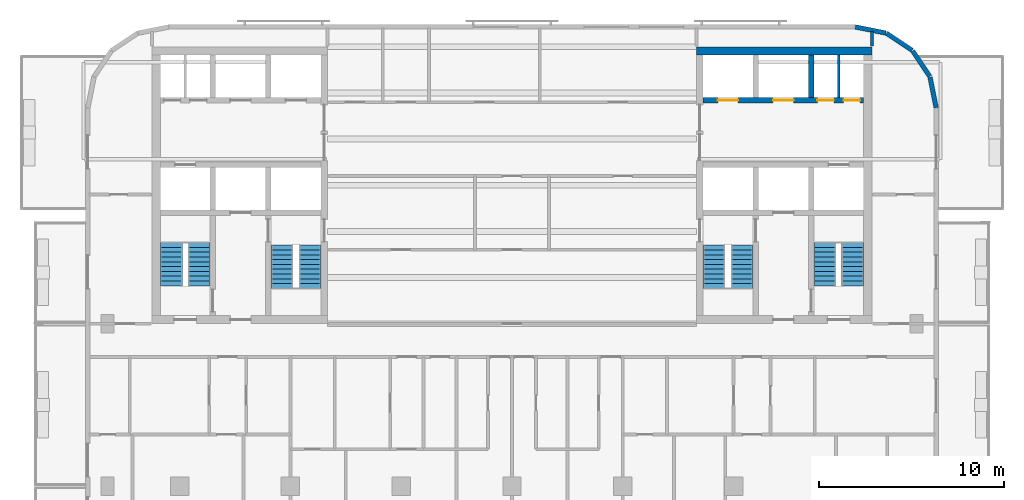
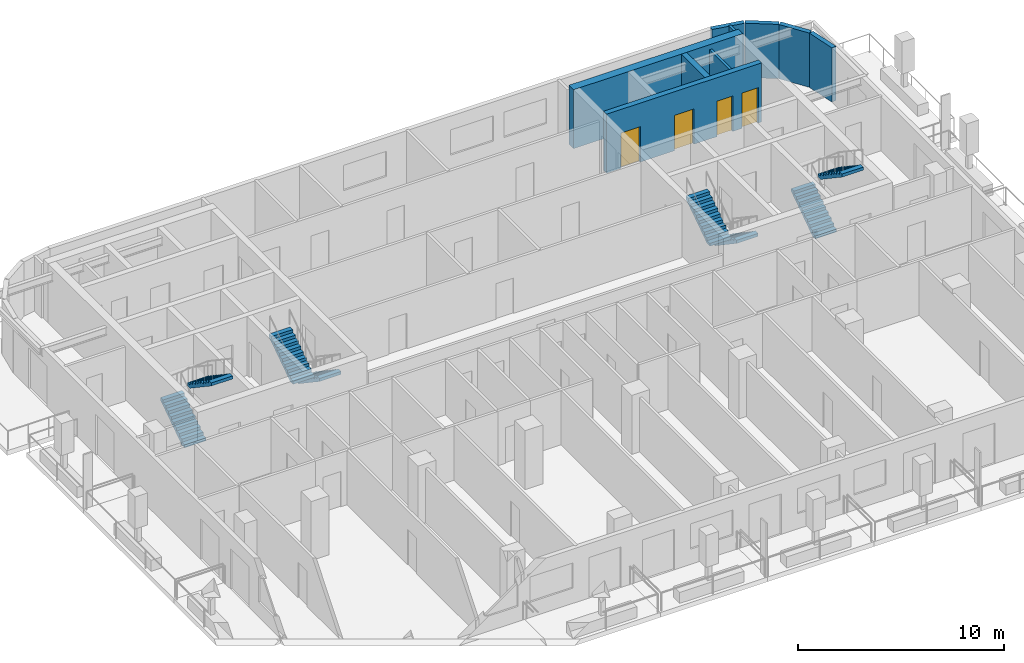
# One storey, part 7 of 11: 9 walls, 8 stair flights, 4 doors, 4 openings, 4 elements without a shape of their own.
"""IFC4 building model written with IfcOpenShell, lengths in metres."""

from ifc_helpers import new_model, si_unit, direction, frame, frame_2d, origin, place, context, subcontext, project, spatial, polyline, rectangle, outline, extrude, material, layer, layer_set, type_object, element, fill, aggregate, save


model = new_model("IFC4")

# Units and contexts
model_context = context("Model", 3, precision=1e-05, world=origin(), true_north=direction((0.0, 1.0)))
body_context = subcontext(model_context, "Body", "Model", "MODEL_VIEW")
ifc_project = project(units=[si_unit("LENGTHUNIT", "METRE"), si_unit("AREAUNIT", "SQUARE_METRE"), si_unit("VOLUMEUNIT", "CUBIC_METRE"), si_unit("PLANEANGLEUNIT", "RADIAN"), si_unit("MASSUNIT", "GRAM", prefix="KILO")], contexts=[model_context])

# Site, building, storey
site_placement = place(None, origin())
site = spatial("IfcSite", under=ifc_project, at=site_placement, CompositionType="ELEMENT")
building_placement = place(site_placement, origin())
building = spatial("IfcBuilding", under=site, at=building_placement, Name="Torana Hotel and Residences", CompositionType="ELEMENT")
storey_placement = place(building_placement, frame((0.0, 0.0, 291.10009765625)))
storey = spatial("IfcBuildingStorey", under=building, at=storey_placement, Name="L77", CompositionType="ELEMENT", Elevation=291.10009765625)

# Wall, openings, doors
ifc_material_1 = material(Name="Concrete C60/75", Category="concrete")
ifc_layer_1 = layer(ifc_material_1, 0.300048828125)
ifc_layer_set_1 = layer_set([ifc_layer_1], Name="CORE WALL 300 C60/75")
wall_type_1 = type_object("IfcWallType", Name="CORE WALL 300 C60/75", PredefinedType="SHEAR", material=ifc_layer_set_1)
wall_1_placement = place(storey_placement, frame((10.35009765625, -2.89990234375, 0.0), z_axis=(0.0, 0.0, 1.0), x_axis=(1.0, 0.0, 0.0)))
wall_1 = element("IfcWall", 1, at=wall_1_placement, inside=storey, type_object=wall_type_1, Name="Core wall E row-N", PredefinedType="SHEAR", context=body_context, shape_type="SweptSolid", body=[
    extrude(rectangle(XDim=8.699951171875, YDim=0.300048828125, at=frame_2d((4.35009765625, 0.0))), origin(), (0.0, 0.0, 1.0), 3.5),
])
opening_1_placement = place(wall_1_placement, frame((0.800048828125, 0.0, 0.0)))
opening_1 = element("IfcOpeningElement", 2, at=opening_1_placement, cuts=wall_1, Name="Opening LD", PredefinedType="OPENING", context=body_context, shape_type="SweptSolid", body=[
    extrude(rectangle(XDim=1.10009765625, YDim=2.10009765625, at=frame_2d((0.550048828125, 1.050048828125))), frame((0.0, 0.159912109375, 0.0), z_axis=(0.0, -1.0, 0.0), x_axis=(1.0, 0.0, 0.0)), (0.0, 0.0, 1.0), 0.320068359375),
])
opening_2_placement = place(wall_1_placement, frame((3.800048828125, 0.0, 0.0)))
opening_2 = element("IfcOpeningElement", 3, at=opening_2_placement, cuts=wall_1, Name="Opening LD", PredefinedType="OPENING", context=body_context, shape_type="SweptSolid", body=[
    extrude(rectangle(XDim=1.10009765625, YDim=2.10009765625, at=frame_2d((0.550048828125, 1.050048828125))), frame((0.0, 0.159912109375, 0.0), z_axis=(0.0, -1.0, 0.0), x_axis=(1.0, 0.0, 0.0)), (0.0, 0.0, 1.0), 0.320068359375),
])
opening_3_placement = place(wall_1_placement, frame((6.1875, 0.0, 0.0)))
opening_3 = element("IfcOpeningElement", 4, at=opening_3_placement, cuts=wall_1, Name="Opening L77-15", PredefinedType="OPENING", context=body_context, shape_type="SweptSolid", body=[
    extrude(rectangle(XDim=0.89990234375, YDim=2.10009765625, at=frame_2d((0.449951171875, 1.050048828125))), frame((0.0, 0.159912109375, 0.0), z_axis=(0.0, -1.0, 0.0), x_axis=(1.0, 0.0, 0.0)), (0.0, 0.0, 1.0), 0.320068359375),
])
opening_4_placement = place(wall_1_placement, frame((7.612548828125, 0.0, 0.0)))
opening_4 = element("IfcOpeningElement", 5, at=opening_4_placement, cuts=wall_1, Name="Opening L77-16", PredefinedType="OPENING", context=body_context, shape_type="SweptSolid", body=[
    extrude(rectangle(XDim=0.89990234375, YDim=2.10009765625, at=frame_2d((0.449951171875, 1.050048828125))), frame((0.0, 0.159912109375, 0.0), z_axis=(0.0, -1.0, 0.0), x_axis=(1.0, 0.0, 0.0)), (0.0, 0.0, 1.0), 0.320068359375),
])
ifc_material_2 = material(Name="Stainless steel 316", Category="steel")
door_type_1 = type_object("IfcDoorType", Name="LIFT LANDING DOOR LD 1100x2100", OperationType="DOUBLE_DOOR_SLIDING", PredefinedType="USERDEFINED", material=ifc_material_2)
door_1_placement = place(opening_1_placement, origin())
door_1 = element("IfcDoor", 6, at=door_1_placement, inside=storey, type_object=door_type_1, Name="Lift landing door H3 L77", ObjectType="LIFT LANDING DOOR", OperationType="DOUBLE_DOOR_SLIDING", OverallHeight=2.10009765625, OverallWidth=1.10009765625, PredefinedType="USERDEFINED", context=body_context, shape_type="SweptSolid", body=[
    extrude(rectangle(XDim=1.10009765625, YDim=2.10009765625, at=frame_2d((0.550048828125, 1.050048828125))), frame((0.0, 0.02490234375, 0.0), z_axis=(0.0, -1.0, 0.0), x_axis=(1.0, 0.0, 0.0)), (0.0, 0.0, 1.0), 0.050048828125),
])
fill(opening_1, door_1)
door_2_placement = place(opening_2_placement, origin())
door_2 = element("IfcDoor", 7, at=door_2_placement, inside=storey, type_object=door_type_1, Name="Lift landing door H4 L77", ObjectType="LIFT LANDING DOOR", OperationType="DOUBLE_DOOR_SLIDING", OverallHeight=2.10009765625, OverallWidth=1.10009765625, PredefinedType="USERDEFINED", context=body_context, shape_type="SweptSolid", body=[
    extrude(rectangle(XDim=1.10009765625, YDim=2.10009765625, at=frame_2d((0.550048828125, 1.050048828125))), frame((0.0, 0.02490234375, 0.0), z_axis=(0.0, -1.0, 0.0), x_axis=(1.0, 0.0, 0.0)), (0.0, 0.0, 1.0), 0.050048828125),
])
fill(opening_2, door_2)
ifc_material_3 = material(Name="Steel S235", Category="steel")
door_type_2 = type_object("IfcDoorType", Name="RISER ACCESS DOOR D5 900x2100", OperationType="SINGLE_SWING_LEFT", PredefinedType="DOOR", material=ifc_material_3)
door_3_placement = place(opening_3_placement, origin())
door_3 = element("IfcDoor", 8, at=door_3_placement, inside=storey, type_object=door_type_2, Name="N2A door L77", OperationType="SINGLE_SWING_RIGHT", OverallHeight=2.10009765625, OverallWidth=0.89990234375, PredefinedType="DOOR", context=body_context, shape_type="SweptSolid", body=[
    extrude(rectangle(XDim=0.89990234375, YDim=2.10009765625, at=frame_2d((0.449951171875, 1.050048828125))), frame((0.0, 0.02490234375, 0.0), z_axis=(0.0, -1.0, 0.0), x_axis=(1.0, 0.0, 0.0)), (0.0, 0.0, 1.0), 0.050048828125),
])
fill(opening_3, door_3)
door_4_placement = place(opening_4_placement, origin())
door_4 = element("IfcDoor", 9, at=door_4_placement, inside=storey, type_object=door_type_2, Name="N2B door L77", OperationType="SINGLE_SWING_RIGHT", OverallHeight=2.10009765625, OverallWidth=0.89990234375, PredefinedType="DOOR", context=body_context, shape_type="SweptSolid", body=[
    extrude(rectangle(XDim=0.89990234375, YDim=2.10009765625, at=frame_2d((0.449951171875, 1.050048828125))), frame((0.0, 0.02490234375, 0.0), z_axis=(0.0, -1.0, 0.0), x_axis=(1.0, 0.0, 0.0)), (0.0, 0.0, 1.0), 0.050048828125),
])
fill(opening_4, door_4)

# Walls
wall_2_placement = place(storey_placement, frame((16.199951171875, -2.75, 0.0), z_axis=(0.0, 0.0, 1.0), x_axis=(0.0, 1.0, 0.0)))
element("IfcWall", 10, at=wall_2_placement, inside=storey, type_object=wall_type_1, Name="Core wall E x6.05-N", PredefinedType="SHEAR", context=body_context, shape_type="SweptSolid", body=[
    extrude(rectangle(XDim=2.300048828125, YDim=0.300048828125, at=frame_2d((1.14990234375, 0.0))), origin(), (0.0, 0.0, 1.0), 3.5),
])
ifc_material_4 = material(Name="Concrete C60/75", Category="concrete")
ifc_layer_2 = layer(ifc_material_4, 0.449951171875)
ifc_layer_set_2 = layer_set([ifc_layer_2], Name="CORE WALL 450 C60/75")
wall_type_2 = type_object("IfcWallType", Name="CORE WALL 450 C60/75", PredefinedType="SHEAR", material=ifc_layer_set_2)
wall_3_placement = place(storey_placement, frame((10.0, -0.22509765625, 0.0), z_axis=(0.0, 0.0, 1.0), x_axis=(1.0, 0.0, 0.0)))
element("IfcWall", 11, at=wall_3_placement, inside=storey, type_object=wall_type_2, Name="Core wall E rear", PredefinedType="SHEAR", context=body_context, shape_type="SweptSolid", body=[
    extrude(rectangle(XDim=9.5, YDim=0.449951171875, at=frame_2d((4.75, 0.0))), origin(), (0.0, 0.0, 1.0), 3.5),
])
ifc_material_5 = material(Name="Black aluminium composite panel", Category="aluminium")
ifc_layer_3 = layer(ifc_material_5, 0.00390625, Name="Cladding", Category="cladding")
ifc_material_6 = material(Name="Ventilated air cavity")
ifc_layer_4 = layer(ifc_material_6, 0.0400390625, Name="Ventilated cavity", Category="cavity")
ifc_material_7 = material(Name="Mineral wool insulation")
ifc_layer_5 = layer(ifc_material_7, 0.090087890625, Name="Insulation", Category="insulation")
ifc_material_8 = material(Name="Steel S280GD", Category="steel")
ifc_layer_6 = layer(ifc_material_8, 0.092041015625, Name="Steel stud frame", Category="structure")
ifc_material_9 = material(Name="Fire rated plasterboard")
ifc_layer_7 = layer(ifc_material_9, 0.011962890625, Name="Inner board", Category="finish")
ifc_layer_8 = layer(ifc_material_9, 0.011962890625, Name="Second board", Category="finish")
ifc_layer_set_3 = layer_set([ifc_layer_3, ifc_layer_4, ifc_layer_5, ifc_layer_6, ifc_layer_7, ifc_layer_8], Name="EW1 EXTERNAL WALL BLACK METAL CLAD 250")
wall_type_3 = type_object("IfcWallType", Name="EW1 EXTERNAL WALL BLACK METAL CLAD 250", PredefinedType="SOLIDWALL", material=ifc_layer_set_3)
wall_4_placement = place(storey_placement, frame((22.97265625, -3.30029296875, 0.0), z_axis=(0.0, 0.0, 1.0), x_axis=(-0.19513878023, 0.980775640221, 0.0)))
element("IfcWall", 12, at=wall_4_placement, inside=storey, type_object=wall_type_3, Name="External wall L77 e0.0", PredefinedType="SOLIDWALL", context=body_context, shape_type="SweptSolid", body=[
    extrude(rectangle(XDim=1.681396484375, YDim=0.25, at=frame_2d((0.8408203125, 0.0))), origin(), (0.0, 0.0, 1.0), 3.219970703125),
])
for number, where, z_axis, x_axis, name in (
    (13, (22.6259765625, -1.60595703125, 0.0), (0.0, 0.0, 1.0), (-0.55555029066, 0.831482937015, 0.0), "External wall L77 e0.1"),
    (14, (21.671142578125, -0.1943359375, 0.0), (0.0, 0.0, 1.0), (-0.831482937015, 0.55555029066, 0.0), "External wall L77 e0.2"),
):
    element("IfcWall", number, at=place(storey_placement, frame(where, z_axis=z_axis, x_axis=x_axis)), inside=storey, type_object=wall_type_3, Name=name, PredefinedType="SOLIDWALL", context=body_context, shape_type="SweptSolid", body=[
        extrude(rectangle(XDim=1.65625, YDim=0.25, at=frame_2d((0.828125, 0.0))), origin(), (0.0, 0.0, 1.0), 3.219970703125),
    ])
wall_5_placement = place(storey_placement, frame((20.248779296875, 0.74462890625, 0.0), z_axis=(0.0, 0.0, 1.0), x_axis=(-0.980797896849, 0.195026884138, 0.0)))
element("IfcWall", 15, at=wall_5_placement, inside=storey, type_object=wall_type_3, Name="External wall L77 e0.3", PredefinedType="SOLIDWALL", context=body_context, shape_type="SweptSolid", body=[
    extrude(rectangle(XDim=1.68115234375, YDim=0.25, at=frame_2d((0.840576171875, 0.0))), origin(), (0.0, 0.0, 1.0), 3.219970703125),
])
ifc_material_10 = material(Name="Gypsum plaster")
ifc_layer_9 = layer(ifc_material_10, 0.014892578125, Name="Plaster", Category="finish")
ifc_material_11 = material(Name="Concrete blockwork", Category="masonry")
ifc_layer_10 = layer(ifc_material_11, 0.1201171875, Name="Blockwork", Category="structure")
ifc_layer_11 = layer(ifc_material_10, 0.014892578125, Name="Plaster", Category="finish")
ifc_layer_set_4 = layer_set([ifc_layer_9, ifc_layer_10, ifc_layer_11], Name="FIRE PARTITION 150 BLOCKWORK")
wall_type_4 = type_object("IfcWallType", Name="FIRE PARTITION 150 BLOCKWORK", PredefinedType="PARTITIONING", material=ifc_layer_set_4)
wall_6_placement = place(storey_placement, frame((17.699951171875, -2.75, 0.0), z_axis=(0.0, 0.0, 1.0), x_axis=(0.0, 1.0, 0.0)))
element("IfcWall", 16, at=wall_6_placement, inside=storey, type_object=wall_type_4, Name="Core partition L77", PredefinedType="PARTITIONING", context=body_context, shape_type="SweptSolid", body=[
    extrude(rectangle(XDim=2.300048828125, YDim=0.14990234375, at=frame_2d((1.14990234375, 0.0))), origin(), (0.0, 0.0, 1.0), 3.199951171875),
])
ifc_material_12 = material(Name="Gypsum plasterboard")
ifc_layer_12 = layer(ifc_material_12, 0.012451171875, Name="Plasterboard", Category="finish")
ifc_layer_13 = layer(ifc_material_12, 0.012451171875, Name="Plasterboard", Category="finish")
ifc_layer_14 = layer(ifc_material_8, 0.10009765625, Name="Steel studs with mineral wool", Category="insulation")
ifc_layer_15 = layer(ifc_material_12, 0.012451171875, Name="Plasterboard", Category="finish")
ifc_layer_16 = layer(ifc_material_12, 0.012451171875, Name="Plasterboard", Category="finish")
ifc_layer_set_5 = layer_set([ifc_layer_12, ifc_layer_13, ifc_layer_14, ifc_layer_15, ifc_layer_16], Name="PARTITION 150 PLASTERBOARD")
wall_type_5 = type_object("IfcWallType", Name="PARTITION 150 PLASTERBOARD", PredefinedType="PARTITIONING", material=ifc_layer_set_5)
wall_7_placement = place(storey_placement, frame((19.5, 0.050048828125, 0.0), z_axis=(0.0, 0.0, 1.0), x_axis=(0.0, 1.0, 0.0)))
element("IfcWall", 17, at=wall_7_placement, inside=storey, type_object=wall_type_5, Name="Partition L77", PredefinedType="PARTITIONING", context=body_context, shape_type="SweptSolid", body=[
    extrude(rectangle(XDim=0.787353515625, YDim=0.14990234375, at=frame_2d((0.3935546875, 0.0))), origin(), (0.0, 0.0, 1.0), 3.219970703125),
])

# Stair, stair flights
ifc_material_13 = material(Name="Concrete C40/50 precast", Category="concrete")
stair_type_1 = type_object("IfcStairType", Name="STAIR ST1 HALF TURN 1200", PredefinedType="HALF_TURN_STAIR", material=ifc_material_13)
stair_1_placement = place(storey_placement, origin())
stair_1 = element("IfcStair", 18, at=stair_1_placement, inside=storey, type_object=stair_type_1, Name="Stair ST1 L77", PredefinedType="HALF_TURN_STAIR")
ifc_material_14 = material(Name="Concrete C40/50 precast", Category="concrete")
stair_flight_type = type_object("IfcStairFlightType", Name="STAIR FLIGHT 1200 PRECAST", PredefinedType="STRAIGHT", material=ifc_material_14)
stair_flight_1_placement = place(storey_placement, frame((-10.949951171875, -10.75, 0.0), z_axis=(0.0, 0.0, 1.0), x_axis=(0.0, -1.0, 0.0)))
stair_flight_1 = element("IfcStairFlight", 19, at=stair_flight_1_placement, type_object=stair_flight_type, Name="ST1 flight 1", NumberOfRisers=10, NumberOfTreads=9, PredefinedType="STRAIGHT", RiserHeight=0.175, TreadLength=0.26, context=body_context, shape_type="SweptSolid", body=[
    extrude(outline(polyline([(0.0, 0.0), (0.0, 0.175048828125), (0.260009765625, 0.175048828125), (0.260009765625, 0.35009765625), (0.52001953125, 0.35009765625), (0.52001953125, 0.52490234375), (0.780029296875, 0.52490234375), (0.780029296875, 0.699951171875), (1.0400390625, 0.699951171875), (1.0400390625, 0.875), (1.300048828125, 0.875), (1.300048828125, 1.050048828125), (1.56005859375, 1.050048828125), (1.56005859375, 1.22509765625), (1.820068359375, 1.22509765625), (1.820068359375, 1.39990234375), (2.080078125, 1.39990234375), (2.080078125, 1.574951171875), (2.340087890625, 1.574951171875), (2.340087890625, 1.75), (2.340087890625, 1.394287109375), (0.2685546875, 0.0), (0.0, 0.0)])), frame((0.0, 0.60009765625, 0.0), z_axis=(0.0, -1.0, 0.0), x_axis=(1.0, 0.0, 0.0)), (0.0, 0.0, 1.0), 1.199951171875),
])
stair_flight_2_placement = place(storey_placement, frame((-12.449951171875, -13.090087890625, 1.75), z_axis=(0.0, 0.0, 1.0), x_axis=(0.0, 1.0, 0.0)))
stair_flight_2 = element("IfcStairFlight", 20, at=stair_flight_2_placement, type_object=stair_flight_type, Name="ST1 flight 2", NumberOfRisers=10, NumberOfTreads=9, PredefinedType="STRAIGHT", RiserHeight=0.175, TreadLength=0.26, context=body_context, shape_type="SweptSolid", body=[
    extrude(outline(polyline([(0.0, 0.0), (0.0, 0.175048828125), (0.260009765625, 0.175048828125), (0.260009765625, 0.35009765625), (0.52001953125, 0.35009765625), (0.52001953125, 0.52490234375), (0.780029296875, 0.52490234375), (0.780029296875, 0.699951171875), (1.0400390625, 0.699951171875), (1.0400390625, 0.875), (1.300048828125, 0.875), (1.300048828125, 1.050048828125), (1.56005859375, 1.050048828125), (1.56005859375, 1.22509765625), (1.820068359375, 1.22509765625), (1.820068359375, 1.39990234375), (2.080078125, 1.39990234375), (2.080078125, 1.574951171875), (2.340087890625, 1.574951171875), (2.340087890625, 1.75), (2.340087890625, 1.394287109375), (0.2685546875, 0.0), (0.0, 0.0)])), frame((0.0, 0.60009765625, 0.0), z_axis=(0.0, -1.0, 0.0), x_axis=(1.0, 0.0, 0.0)), (0.0, 0.0, 1.0), 1.199951171875),
])
aggregate(stair_1, [stair_flight_1, stair_flight_2])

ifc_material_15 = material(Name="Concrete C40/50 precast", Category="concrete")
stair_type_2 = type_object("IfcStairType", Name="STAIR ST2 HALF TURN 1200", PredefinedType="HALF_TURN_STAIR", material=ifc_material_15)
stair_2_placement = place(storey_placement, origin())
stair_2 = element("IfcStair", 21, at=stair_2_placement, inside=storey, type_object=stair_type_2, Name="Stair ST2 L77", PredefinedType="HALF_TURN_STAIR")
stair_flight_3_placement = place(storey_placement, frame((-18.449951171875, -12.949951171875, 0.0), z_axis=(0.0, 0.0, 1.0), x_axis=(0.0, 1.0, 0.0)))
stair_flight_3 = element("IfcStairFlight", 22, at=stair_flight_3_placement, type_object=stair_flight_type, Name="ST2 flight 1", NumberOfRisers=10, NumberOfTreads=9, PredefinedType="STRAIGHT", RiserHeight=0.175, TreadLength=0.26, context=body_context, shape_type="SweptSolid", body=[
    extrude(outline(polyline([(0.0, 0.0), (0.0, 0.175048828125), (0.260009765625, 0.175048828125), (0.260009765625, 0.35009765625), (0.52001953125, 0.35009765625), (0.52001953125, 0.52490234375), (0.780029296875, 0.52490234375), (0.780029296875, 0.699951171875), (1.0400390625, 0.699951171875), (1.0400390625, 0.875), (1.300048828125, 0.875), (1.300048828125, 1.050048828125), (1.56005859375, 1.050048828125), (1.56005859375, 1.22509765625), (1.820068359375, 1.22509765625), (1.820068359375, 1.39990234375), (2.080078125, 1.39990234375), (2.080078125, 1.574951171875), (2.340087890625, 1.574951171875), (2.340087890625, 1.75), (2.340087890625, 1.394287109375), (0.2685546875, 0.0), (0.0, 0.0)])), frame((0.0, 0.60009765625, 0.0), z_axis=(0.0, -1.0, 0.0), x_axis=(1.0, 0.0, 0.0)), (0.0, 0.0, 1.0), 1.199951171875),
])
stair_flight_4_placement = place(storey_placement, frame((-16.949951171875, -10.610107421875, 1.75), z_axis=(0.0, 0.0, 1.0), x_axis=(0.0, -1.0, 0.0)))
stair_flight_4 = element("IfcStairFlight", 23, at=stair_flight_4_placement, type_object=stair_flight_type, Name="ST2 flight 2", NumberOfRisers=10, NumberOfTreads=9, PredefinedType="STRAIGHT", RiserHeight=0.175, TreadLength=0.26, context=body_context, shape_type="SweptSolid", body=[
    extrude(outline(polyline([(0.0, 0.0), (0.0, 0.175048828125), (0.260009765625, 0.175048828125), (0.260009765625, 0.35009765625), (0.52001953125, 0.35009765625), (0.52001953125, 0.52490234375), (0.780029296875, 0.52490234375), (0.780029296875, 0.699951171875), (1.0400390625, 0.699951171875), (1.0400390625, 0.875), (1.300048828125, 0.875), (1.300048828125, 1.050048828125), (1.56005859375, 1.050048828125), (1.56005859375, 1.22509765625), (1.820068359375, 1.22509765625), (1.820068359375, 1.39990234375), (2.080078125, 1.39990234375), (2.080078125, 1.574951171875), (2.340087890625, 1.574951171875), (2.340087890625, 1.75), (2.340087890625, 1.394287109375), (0.2685546875, 0.0), (0.0, 0.0)])), frame((0.0, 0.60009765625, 0.0), z_axis=(0.0, -1.0, 0.0), x_axis=(1.0, 0.0, 0.0)), (0.0, 0.0, 1.0), 1.199951171875),
])
aggregate(stair_2, [stair_flight_3, stair_flight_4])

ifc_material_16 = material(Name="Concrete C40/50 precast", Category="concrete")
stair_type_3 = type_object("IfcStairType", Name="STAIR ST3 HALF TURN 1200", PredefinedType="HALF_TURN_STAIR", material=ifc_material_16)
stair_3_placement = place(storey_placement, origin())
stair_3 = element("IfcStair", 24, at=stair_3_placement, inside=storey, type_object=stair_type_3, Name="Stair ST3 L77", PredefinedType="HALF_TURN_STAIR")
stair_flight_5_placement = place(storey_placement, frame((12.449951171875, -10.75, 0.0), z_axis=(0.0, 0.0, 1.0), x_axis=(0.0, -1.0, 0.0)))
stair_flight_5 = element("IfcStairFlight", 25, at=stair_flight_5_placement, type_object=stair_flight_type, Name="ST3 flight 1", NumberOfRisers=10, NumberOfTreads=9, PredefinedType="STRAIGHT", RiserHeight=0.175, TreadLength=0.26, context=body_context, shape_type="SweptSolid", body=[
    extrude(outline(polyline([(0.0, 0.0), (0.0, 0.175048828125), (0.260009765625, 0.175048828125), (0.260009765625, 0.35009765625), (0.52001953125, 0.35009765625), (0.52001953125, 0.52490234375), (0.780029296875, 0.52490234375), (0.780029296875, 0.699951171875), (1.0400390625, 0.699951171875), (1.0400390625, 0.875), (1.300048828125, 0.875), (1.300048828125, 1.050048828125), (1.56005859375, 1.050048828125), (1.56005859375, 1.22509765625), (1.820068359375, 1.22509765625), (1.820068359375, 1.39990234375), (2.080078125, 1.39990234375), (2.080078125, 1.574951171875), (2.340087890625, 1.574951171875), (2.340087890625, 1.75), (2.340087890625, 1.394287109375), (0.2685546875, 0.0), (0.0, 0.0)])), frame((0.0, 0.60009765625, 0.0), z_axis=(0.0, -1.0, 0.0), x_axis=(1.0, 0.0, 0.0)), (0.0, 0.0, 1.0), 1.199951171875),
])
stair_flight_6_placement = place(storey_placement, frame((10.949951171875, -13.090087890625, 1.75), z_axis=(0.0, 0.0, 1.0), x_axis=(0.0, 1.0, 0.0)))
stair_flight_6 = element("IfcStairFlight", 26, at=stair_flight_6_placement, type_object=stair_flight_type, Name="ST3 flight 2", NumberOfRisers=10, NumberOfTreads=9, PredefinedType="STRAIGHT", RiserHeight=0.175, TreadLength=0.26, context=body_context, shape_type="SweptSolid", body=[
    extrude(outline(polyline([(0.0, 0.0), (0.0, 0.175048828125), (0.260009765625, 0.175048828125), (0.260009765625, 0.35009765625), (0.52001953125, 0.35009765625), (0.52001953125, 0.52490234375), (0.780029296875, 0.52490234375), (0.780029296875, 0.699951171875), (1.0400390625, 0.699951171875), (1.0400390625, 0.875), (1.300048828125, 0.875), (1.300048828125, 1.050048828125), (1.56005859375, 1.050048828125), (1.56005859375, 1.22509765625), (1.820068359375, 1.22509765625), (1.820068359375, 1.39990234375), (2.080078125, 1.39990234375), (2.080078125, 1.574951171875), (2.340087890625, 1.574951171875), (2.340087890625, 1.75), (2.340087890625, 1.394287109375), (0.2685546875, 0.0), (0.0, 0.0)])), frame((0.0, 0.60009765625, 0.0), z_axis=(0.0, -1.0, 0.0), x_axis=(1.0, 0.0, 0.0)), (0.0, 0.0, 1.0), 1.199951171875),
])
aggregate(stair_3, [stair_flight_5, stair_flight_6])

ifc_material_17 = material(Name="Concrete C40/50 precast", Category="concrete")
stair_type_4 = type_object("IfcStairType", Name="STAIR ST4 HALF TURN 1200", PredefinedType="HALF_TURN_STAIR", material=ifc_material_17)
stair_4_placement = place(storey_placement, origin())
stair_4 = element("IfcStair", 27, at=stair_4_placement, inside=storey, type_object=stair_type_4, Name="Stair ST4 L77", PredefinedType="HALF_TURN_STAIR")
stair_flight_7_placement = place(storey_placement, frame((16.949951171875, -12.949951171875, 0.0), z_axis=(0.0, 0.0, 1.0), x_axis=(0.0, 1.0, 0.0)))
stair_flight_7 = element("IfcStairFlight", 28, at=stair_flight_7_placement, type_object=stair_flight_type, Name="ST4 flight 1", NumberOfRisers=10, NumberOfTreads=9, PredefinedType="STRAIGHT", RiserHeight=0.175, TreadLength=0.26, context=body_context, shape_type="SweptSolid", body=[
    extrude(outline(polyline([(0.0, 0.0), (0.0, 0.175048828125), (0.260009765625, 0.175048828125), (0.260009765625, 0.35009765625), (0.52001953125, 0.35009765625), (0.52001953125, 0.52490234375), (0.780029296875, 0.52490234375), (0.780029296875, 0.699951171875), (1.0400390625, 0.699951171875), (1.0400390625, 0.875), (1.300048828125, 0.875), (1.300048828125, 1.050048828125), (1.56005859375, 1.050048828125), (1.56005859375, 1.22509765625), (1.820068359375, 1.22509765625), (1.820068359375, 1.39990234375), (2.080078125, 1.39990234375), (2.080078125, 1.574951171875), (2.340087890625, 1.574951171875), (2.340087890625, 1.75), (2.340087890625, 1.394287109375), (0.2685546875, 0.0), (0.0, 0.0)])), frame((0.0, 0.60009765625, 0.0), z_axis=(0.0, -1.0, 0.0), x_axis=(1.0, 0.0, 0.0)), (0.0, 0.0, 1.0), 1.199951171875),
])
stair_flight_8_placement = place(storey_placement, frame((18.449951171875, -10.610107421875, 1.75), z_axis=(0.0, 0.0, 1.0), x_axis=(0.0, -1.0, 0.0)))
stair_flight_8 = element("IfcStairFlight", 29, at=stair_flight_8_placement, type_object=stair_flight_type, Name="ST4 flight 2", NumberOfRisers=10, NumberOfTreads=9, PredefinedType="STRAIGHT", RiserHeight=0.175, TreadLength=0.26, context=body_context, shape_type="SweptSolid", body=[
    extrude(outline(polyline([(0.0, 0.0), (0.0, 0.175048828125), (0.260009765625, 0.175048828125), (0.260009765625, 0.35009765625), (0.52001953125, 0.35009765625), (0.52001953125, 0.52490234375), (0.780029296875, 0.52490234375), (0.780029296875, 0.699951171875), (1.0400390625, 0.699951171875), (1.0400390625, 0.875), (1.300048828125, 0.875), (1.300048828125, 1.050048828125), (1.56005859375, 1.050048828125), (1.56005859375, 1.22509765625), (1.820068359375, 1.22509765625), (1.820068359375, 1.39990234375), (2.080078125, 1.39990234375), (2.080078125, 1.574951171875), (2.340087890625, 1.574951171875), (2.340087890625, 1.75), (2.340087890625, 1.394287109375), (0.2685546875, 0.0), (0.0, 0.0)])), frame((0.0, 0.60009765625, 0.0), z_axis=(0.0, -1.0, 0.0), x_axis=(1.0, 0.0, 0.0)), (0.0, 0.0, 1.0), 1.199951171875),
])
aggregate(stair_4, [stair_flight_7, stair_flight_8])

save(model, "model.ifc")
